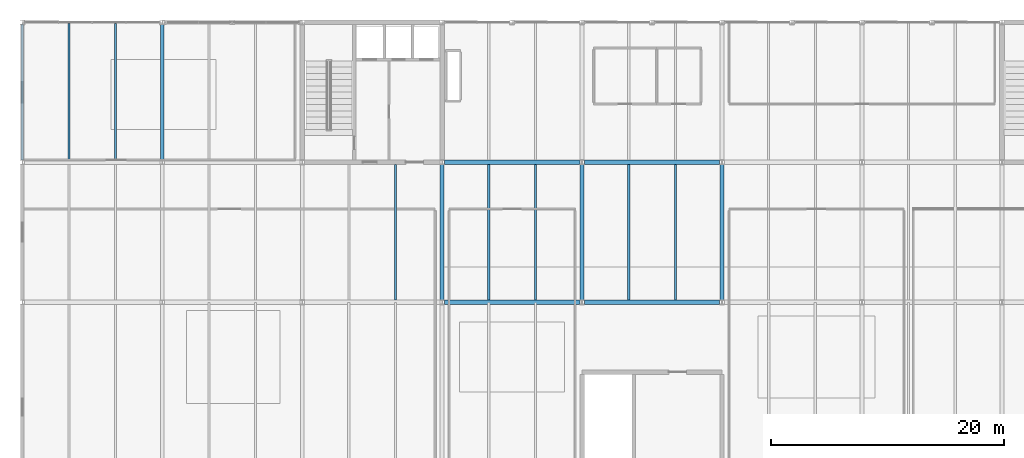
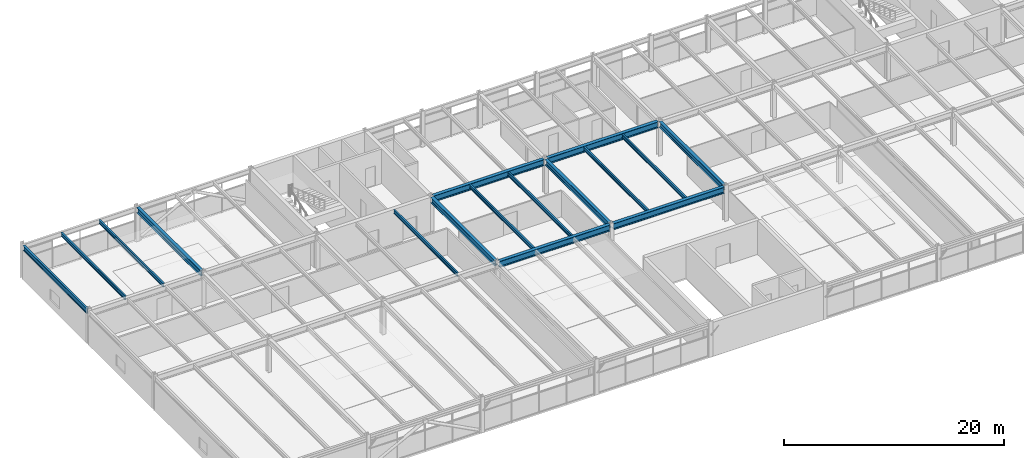
# One storey, part 17 of 52: 16 beams.
"""IFC4 building model written with IfcOpenShell, lengths in metres."""

from ifc_helpers import new_model, si_unit, direction, frame, origin, origin_2d, place, context, subcontext, project, spatial, i_section, extrude, material, material_profile, profile_set, type_object, element, save


model = new_model("IFC4")

# Units and contexts
model_context = context("Model", 3, precision=1e-05, world=origin(), true_north=direction((0.0, 1.0)))
body_context = subcontext(model_context, "Body", "Model", "MODEL_VIEW")
ifc_project = project(units=[si_unit("LENGTHUNIT", "METRE"), si_unit("AREAUNIT", "SQUARE_METRE"), si_unit("VOLUMEUNIT", "CUBIC_METRE"), si_unit("PLANEANGLEUNIT", "RADIAN"), si_unit("MASSUNIT", "GRAM", prefix="KILO")], contexts=[model_context])

# Site, building, storey
site_placement = place(None, origin())
site = spatial("IfcSite", under=ifc_project, at=site_placement, CompositionType="ELEMENT")
building_placement = place(site_placement, origin())
building = spatial("IfcBuilding", under=site, at=building_placement, Name="Girod Span Mobility Hub", CompositionType="ELEMENT")
storey_placement = place(building_placement, frame((0.0, 0.0, 45.60009765625)))
storey = spatial("IfcBuildingStorey", under=building, at=storey_placement, Name="L11", CompositionType="ELEMENT", Elevation=45.60009765625)

# Beams
ifc_material_1 = material(Name="Steel A992 Grade 50", Category="steel")
ifc_material_profile_1 = material_profile(ifc_material_1, i_section(OverallWidth=0.178955078125, OverallDepth=0.409912109375, WebThickness=0.0087890625, FlangeThickness=0.014404296875, FilletRadius=0.012939453125, at=origin_2d()), Name="W16X45")
ifc_profile_set_1 = profile_set([ifc_material_profile_1], Name="Steel A992 Grade 50")
beam_type_1 = type_object("IfcBeamType", Name="BM-STL-W16X45", PredefinedType="BEAM", material=ifc_profile_set_1)
for number, where, z_axis, x_axis, name in (
    (1, (28.0, 57.174560546875, 3.574951171875), (0.0, 1.0, 0.0), (-1.0, 0.0, 0.0), "Composite Floorbeam 3/E-1 L11"),
    (2, (32.0, 57.174560546875, 3.574951171875), (0.0, 1.0, 0.0), (-1.0, 0.0, 0.0), "Composite Floorbeam 3/E-2 L11"),
):
    element("IfcBeam", number, at=place(storey_placement, frame(where, z_axis=z_axis, x_axis=x_axis)), inside=storey, type_object=beam_type_1, Name=name, PredefinedType="BEAM", context=body_context, shape_type="SweptSolid", body=[
        extrude(i_section(OverallWidth=0.178955078125, OverallDepth=0.409912109375, WebThickness=0.0087890625, FlangeThickness=0.014404296875, FilletRadius=0.012939453125, at=origin_2d()), origin(), (0.0, 0.0, 1.0), 11.722412109375),
    ])
beam_1_placement = place(storey_placement, frame((56.0, 45.174560546875, 3.635009765625), z_axis=(0.0, 1.0, 0.0), x_axis=(-1.0, 0.0, 0.0)))
element("IfcBeam", 3, at=beam_1_placement, inside=storey, type_object=beam_type_1, Name="Composite Floorbeam 5/D-2 L11", PredefinedType="BEAM", context=body_context, shape_type="SweptSolid", body=[
    extrude(i_section(OverallWidth=0.178955078125, OverallDepth=0.409912109375, WebThickness=0.0087890625, FlangeThickness=0.014404296875, FilletRadius=0.012939453125, at=origin_2d()), origin(), (0.0, 0.0, 1.0), 11.62841796875),
])
for number, where, z_axis, x_axis, name in (
    (4, (64.0, 45.174560546875, 3.635009765625), (0.0, 1.0, 0.0), (-1.0, 0.0, 0.0), "Composite Floorbeam 6/D-1 L11"),
    (5, (68.0, 45.174560546875, 3.635009765625), (0.0, 1.0, 0.0), (-1.0, 0.0, 0.0), "Composite Floorbeam 6/D-2 L11"),
    (6, (76.0, 45.174560546875, 3.635009765625), (0.0, 1.0, 0.0), (-1.0, 0.0, 0.0), "Composite Floorbeam 7/D-1 L11"),
    (7, (80.0, 45.174560546875, 3.635009765625), (0.0, 1.0, 0.0), (-1.0, 0.0, 0.0), "Composite Floorbeam 7/D-2 L11"),
):
    element("IfcBeam", number, at=place(storey_placement, frame(where, z_axis=z_axis, x_axis=x_axis)), inside=storey, type_object=beam_type_1, Name=name, PredefinedType="BEAM", context=body_context, shape_type="SweptSolid", body=[
        extrude(i_section(OverallWidth=0.178955078125, OverallDepth=0.409912109375, WebThickness=0.0087890625, FlangeThickness=0.014404296875, FilletRadius=0.012939453125, at=origin_2d()), origin(), (0.0, 0.0, 1.0), 11.65087890625),
    ])
ifc_material_2 = material(Name="Steel A992 Grade 50", Category="steel")
ifc_material_profile_2 = material_profile(ifc_material_2, i_section(OverallWidth=0.2119140625, OverallDepth=0.5439453125, WebThickness=0.01318359375, FlangeThickness=0.021240234375, FilletRadius=0.014892578125, at=origin_2d()), Name="W21X83")
ifc_profile_set_2 = profile_set([ifc_material_profile_2], Name="Steel A992 Grade 50")
beam_type_2 = type_object("IfcBeamType", Name="BM-STL-W21X83", PredefinedType="SPANDREL", material=ifc_profile_set_2)
beam_2_placement = place(storey_placement, frame((24.0, 57.1845703125, 3.5078125), z_axis=(0.0, 1.0, 0.0), x_axis=(-1.0, 0.0, 0.0)))
element("IfcBeam", 8, at=beam_2_placement, inside=storey, type_object=beam_type_2, Name="Tie Girder 3/E-F L11", PredefinedType="SPANDREL", context=body_context, shape_type="SweptSolid", body=[
    extrude(i_section(OverallWidth=0.2119140625, OverallDepth=0.5439453125, WebThickness=0.01318359375, FlangeThickness=0.021240234375, FilletRadius=0.014892578125, at=origin_2d()), origin(), (0.0, 0.0, 1.0), 11.630859375),
])
ifc_material_3 = material(Name="Steel A992 Grade 50", Category="steel")
ifc_material_profile_3 = material_profile(ifc_material_3, i_section(OverallWidth=0.323974609375, OverallDepth=0.611083984375, WebThickness=0.0126953125, FlangeThickness=0.01904296875, FilletRadius=0.014892578125, at=origin_2d()), Name="W24X104")
ifc_profile_set_3 = profile_set([ifc_material_profile_3], Name="Steel A992 Grade 50")
beam_type_3 = type_object("IfcBeamType", Name="BM-STL-W24X104", PredefinedType="BEAM", material=ifc_profile_set_3)
beam_3_placement = place(storey_placement, frame((36.0, 57.1845703125, 3.534423828125), z_axis=(0.0, 1.0, 0.0), x_axis=(-1.0, 0.0, 0.0)))
element("IfcBeam", 9, at=beam_3_placement, inside=storey, type_object=beam_type_3, Name="Tie Girder 4/E-F L11", PredefinedType="BEAM", context=body_context, shape_type="SweptSolid", body=[
    extrude(i_section(OverallWidth=0.323974609375, OverallDepth=0.611083984375, WebThickness=0.0126953125, FlangeThickness=0.01904296875, FilletRadius=0.014892578125, at=origin_2d()), origin(), (0.0, 0.0, 1.0), 11.630859375),
])
for number, where, z_axis, x_axis, name in (
    (10, (60.0, 45.193603515625, 3.534423828125), (0.0, 1.0, 0.0), (-1.0, 0.0, 0.0), "Tie Girder 6/D-E L11"),
    (11, (72.0, 45.193603515625, 3.534423828125), (0.0, 1.0, 0.0), (-1.0, 0.0, 0.0), "Tie Girder 7/D-E L11"),
    (12, (84.0, 45.193603515625, 3.534423828125), (0.0, 1.0, 0.0), (-1.0, 0.0, 0.0), "Tie Girder 8/D-E L11"),
):
    element("IfcBeam", number, at=place(storey_placement, frame(where, z_axis=z_axis, x_axis=x_axis)), inside=storey, type_object=beam_type_3, Name=name, PredefinedType="BEAM", context=body_context, shape_type="SweptSolid", body=[
        extrude(i_section(OverallWidth=0.323974609375, OverallDepth=0.611083984375, WebThickness=0.0126953125, FlangeThickness=0.01904296875, FilletRadius=0.014892578125, at=origin_2d()), origin(), (0.0, 0.0, 1.0), 11.61279296875),
    ])
ifc_material_4 = material(Name="Steel A992 Grade 50", Category="steel")
ifc_material_profile_4 = material_profile(ifc_material_4, i_section(OverallWidth=0.35498046875, OverallDepth=0.695068359375, WebThickness=0.015380859375, FlangeThickness=0.02490234375, FilletRadius=0.01806640625, at=origin_2d()), Name="W27X146")
ifc_profile_set_4 = profile_set([ifc_material_profile_4], Name="Steel A992 Grade 50")
beam_type_4 = type_object("IfcBeamType", Name="BM-STL-W27X146", PredefinedType="BEAM", material=ifc_profile_set_4)
for number, where, z_axis, x_axis, name in (
    (13, (60.196533203125, 45.0, 3.492431640625), (1.0, 0.0, 0.0), (0.0, 1.0, 0.0), "Girder 6-7/D L11"),
    (14, (72.196533203125, 45.0, 3.492431640625), (1.0, 0.0, 0.0), (0.0, 1.0, 0.0), "Girder 7-8/D L11"),
    (15, (60.196533203125, 57.0, 3.492431640625), (1.0, 0.0, 0.0), (0.0, 1.0, 0.0), "Girder 6-7/E L11"),
    (16, (72.196533203125, 57.0, 3.492431640625), (1.0, 0.0, 0.0), (0.0, 1.0, 0.0), "Girder 7-8/E L11"),
):
    element("IfcBeam", number, at=place(storey_placement, frame(where, z_axis=z_axis, x_axis=x_axis)), inside=storey, type_object=beam_type_4, Name=name, PredefinedType="BEAM", context=body_context, shape_type="SweptSolid", body=[
        extrude(i_section(OverallWidth=0.35498046875, OverallDepth=0.695068359375, WebThickness=0.015380859375, FlangeThickness=0.02490234375, FilletRadius=0.01806640625, at=origin_2d()), origin(), (0.0, 0.0, 1.0), 11.60693359375),
    ])

save(model, "model.ifc")
